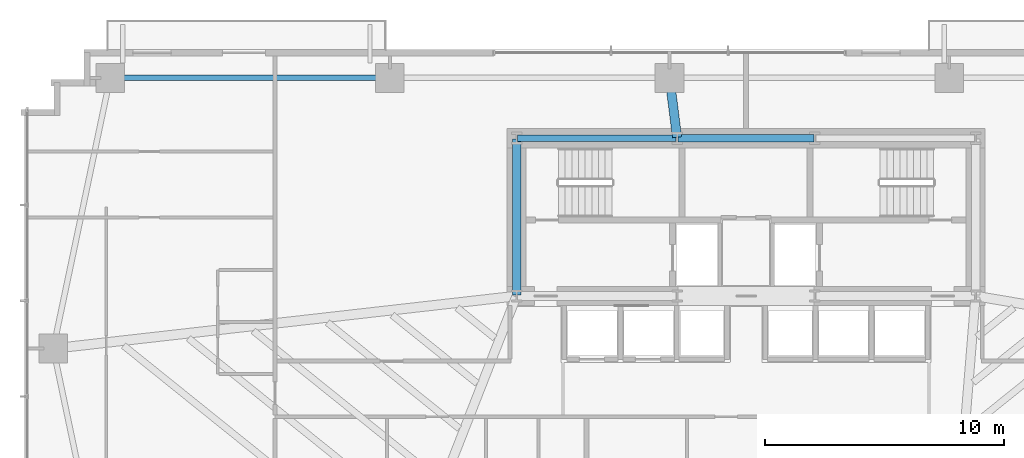
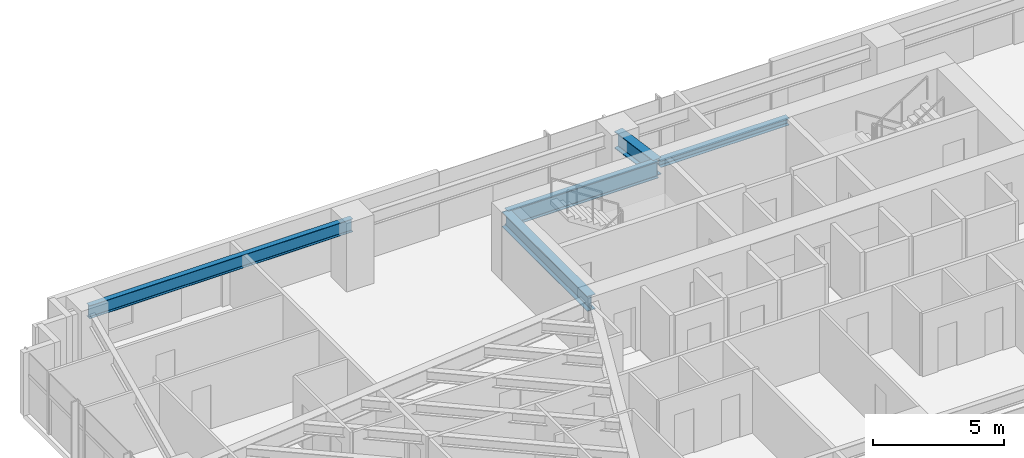
# One storey, part 9 of 25: 5 beams.
"""IFC4 building model written with IfcOpenShell, lengths in metres."""

import ifcopenshell
import ifcopenshell.guid

model = None  # the IFC model being written
_history = None  # IfcOwnerHistory: only IFC2X3 demands one
_inside = {}  # id of a spatial element -> (the spatial element, [elements in it])
_under = {}  # id of a project, library or spatial element -> (it, [spatial elements below it])
_declared = {}  # id of a project -> (the project, [libraries it declares])
_typed = {}  # id of a type object -> (the type object, [elements of that type])
_made_of = {}  # id of a material, layer set ... -> (it, [elements and type objects made of it])


def new_model(schema):
    """Start an empty IFC model of exactly this schema.

    Asked for "IFC4X3", IfcOpenShell would pick the latest addendum, in which some entities
    have other attributes; the version numbers below select the first issue.
    IFC2X3 requires an IfcOwnerHistory on every rooted entity: one is made here for all.
    """
    global model, _history
    if schema == "IFC4X3":
        model = ifcopenshell.file(schema_version=(4, 3, 0, 0))
    else:
        model = ifcopenshell.file(schema=schema)
    _inside.clear()
    _under.clear()
    _declared.clear()
    _typed.clear()
    _made_of.clear()
    _history = None
    if model.schema == "IFC2X3":
        org = make("IfcOrganization", Name="unknown")
        user = make(
            "IfcPersonAndOrganization",
            ThePerson=make("IfcPerson", FamilyName="unknown"),
            TheOrganization=org,
        )
        app = make(
            "IfcApplication",
            ApplicationDeveloper=org,
            Version="unknown",
            ApplicationFullName="unknown",
            ApplicationIdentifier="unknown",
        )
        _history = make(
            "IfcOwnerHistory",
            OwningUser=user,
            OwningApplication=app,
            ChangeAction="ADDED",
            CreationDate=0,
        )
    return model


def make(cls, **values):
    """One entity of the class cls with the attributes given. An attribute that is None is left unset."""
    return model.create_entity(
        cls, **{name: value for name, value in values.items() if value is not None}
    )


def rooted(cls, **values):
    """An entity with a GlobalId (a new one), such as an element, a storey or a relation."""
    return make(cls, GlobalId=ifcopenshell.guid.new(), OwnerHistory=_history, **values)


def si_unit(unit_type, name, prefix=None):
    """IfcSIUnit, for example si_unit("LENGTHUNIT", "METRE", prefix="MILLI")."""
    return make("IfcSIUnit", UnitType=unit_type, Prefix=prefix, Name=name)


def assignment(units):
    """IfcUnitAssignment: the units of a project."""
    return None if units is None else make("IfcUnitAssignment", Units=units)


def point(xyz):
    """IfcCartesianPoint."""
    return None if xyz is None else make("IfcCartesianPoint", Coordinates=xyz)


def direction(xyz):
    """IfcDirection."""
    return None if xyz is None else make("IfcDirection", DirectionRatios=xyz)


def frame(location, z_axis=None, x_axis=None):
    """IfcAxis2Placement3D, a coordinate frame: its origin and axes. An axis left out is left unset."""
    return make(
        "IfcAxis2Placement3D",
        Location=point(location),
        Axis=direction(z_axis),
        RefDirection=direction(x_axis),
    )


def frame_2d(location, x_axis=None):
    """IfcAxis2Placement2D, a coordinate frame in the plane: its origin and x axis."""
    return make(
        "IfcAxis2Placement2D", Location=point(location), RefDirection=direction(x_axis)
    )


def origin():
    """The frame at (0, 0, 0) with its axes left unset."""
    return frame((0.0, 0.0, 0.0))


def origin_2d():
    """The frame at (0, 0) in the plane with its x axis left unset."""
    return frame_2d((0.0, 0.0))


def place(relative_to, where):
    """IfcLocalPlacement: puts the frame where relative to a parent placement (None: the world)."""
    return make(
        "IfcLocalPlacement", PlacementRelTo=relative_to, RelativePlacement=where
    )


def context(
    kind, dimensions, precision=None, world=None, true_north=None, identifier=None
):
    """IfcGeometricRepresentationContext, for example the 3D "Model" context."""
    return make(
        "IfcGeometricRepresentationContext",
        ContextIdentifier=identifier,
        ContextType=kind,
        CoordinateSpaceDimension=dimensions,
        Precision=precision,
        WorldCoordinateSystem=world,
        TrueNorth=true_north,
    )


def subcontext(parent, identifier, kind, view, scale=None):
    """IfcGeometricRepresentationSubContext, for example "Body" below "Model"."""
    return make(
        "IfcGeometricRepresentationSubContext",
        ContextIdentifier=identifier,
        ContextType=kind,
        ParentContext=parent,
        TargetScale=scale,
        TargetView=view,
    )


def project(units=None, contexts=None):
    """IfcProject with its units and contexts."""
    return rooted(
        "IfcProject",
        Name="project",
        RepresentationContexts=contexts,
        UnitsInContext=assignment(units),
    )


def spatial(cls, under=None, at=None, **own):
    """A site, building, storey or space (cls), placed at a placement, below another one or the project."""
    s = rooted(cls, ObjectPlacement=at, **own)
    if under is not None:
        _under.setdefault(under.id(), (under, []))[1].append(s)
    return s


def profile(cls, at=None, kind="AREA", **sizes):
    """A parametric profile (cls). Its sizes go by their IFC names, for example OverallWidth=200.0."""
    return make(cls, ProfileType=kind, Position=at, **sizes)


def i_section(**sizes):
    """IfcIShapeProfileDef."""
    return profile("IfcIShapeProfileDef", **sizes)


def extrude(swept, where, along, depth):
    """IfcExtrudedAreaSolid: the profile swept, set in the frame where, extruded along a direction by depth."""
    return make(
        "IfcExtrudedAreaSolid",
        SweptArea=swept,
        Position=where,
        ExtrudedDirection=direction(along),
        Depth=depth,
    )


def shape(context_of_items, identifier, shape_type, items):
    """IfcShapeRepresentation: the items that make up one representation, for example the "Body"."""
    return make(
        "IfcShapeRepresentation",
        ContextOfItems=context_of_items,
        RepresentationIdentifier=identifier,
        RepresentationType=shape_type,
        Items=items,
    )


def source(mapping_origin, context_of_items, identifier, shape_type, items):
    """IfcRepresentationMap: a shape defined once, which mapped items show again and again."""
    return make(
        "IfcRepresentationMap",
        MappingOrigin=mapping_origin,
        MappedRepresentation=shape(context_of_items, identifier, shape_type, items),
    )


def transform(
    local_origin,
    x_axis=None,
    y_axis=None,
    z_axis=None,
    scale=None,
    scale2=None,
    scale3=None,
    uniform=True,
):
    """IfcCartesianTransformationOperator3D, or its non-uniform kind. x_axis, y_axis, z_axis: its Axis1, 2, 3."""
    if uniform:
        return make(
            "IfcCartesianTransformationOperator3D",
            Axis1=direction(x_axis),
            Axis2=direction(y_axis),
            LocalOrigin=point(local_origin),
            Scale=scale,
            Axis3=direction(z_axis),
        )
    return make(
        "IfcCartesianTransformationOperator3DnonUniform",
        Axis1=direction(x_axis),
        Axis2=direction(y_axis),
        LocalOrigin=point(local_origin),
        Scale=scale,
        Axis3=direction(z_axis),
        Scale2=scale2,
        Scale3=scale3,
    )


def mapped(mapping_source, mapping_target):
    """IfcMappedItem: shows the shape of a source again, moved by a transform."""
    return make(
        "IfcMappedItem", MappingSource=mapping_source, MappingTarget=mapping_target
    )


def material(Name=None, Category=None):
    """IfcMaterial."""
    return make("IfcMaterial", Name=Name, Category=Category)


def material_profile(
    of_material, cross_section, Name=None, Category=None, Priority=None
):
    """IfcMaterialProfile: a cross section and its material."""
    return make(
        "IfcMaterialProfile",
        Name=Name,
        Material=of_material,
        Profile=cross_section,
        Priority=Priority,
        Category=Category,
    )


def profile_set(profiles, Name=None, composite=None):
    """IfcMaterialProfileSet."""
    return make(
        "IfcMaterialProfileSet",
        Name=Name,
        MaterialProfiles=profiles,
        CompositeProfile=composite,
    )


def made_of(thing, what):
    """Note that an element or type object is made of a material, layer set ...; save() writes the relation."""
    if what is not None:
        _made_of.setdefault(what.id(), (what, []))[1].append(thing)
    return thing


def type_object(cls, material=None, **own):
    """A type object (cls), such as IfcWallType, which elements share."""
    return made_of(rooted(cls, **own), material)


def type_shapes(of_type, sources):
    """Give a type object the sources (RepresentationMaps) that its elements show as mapped items."""
    of_type.RepresentationMaps = sources


def element(
    cls,
    number,
    at=None,
    inside=None,
    cuts=None,
    type_object=None,
    material=None,
    context=None,
    identifier="Body",
    shape_type=None,
    held_by="IfcProductDefinitionShape",
    body=None,
    shapes=None,
    **own,
):
    """One element of the class cls, such as IfcWall. Its Tag is "e" and its number.

    at: its placement. inside: the storey or other place that contains it. cuts: it is an
    opening in that element (IfcRelVoidsElement). A single representation is given by context,
    identifier, shape_type and body (its items); several are given by shapes. held_by: the class
    of the entity that holds the representations. save() writes the other relations.
    """
    e = rooted(cls, Tag="e%d" % number, ObjectPlacement=at, **own)
    if body is not None:
        shapes = [shape(context, identifier, shape_type, body)]
    if shapes is not None:
        e.Representation = make(held_by, Representations=shapes)
    if inside is not None:
        _inside.setdefault(inside.id(), (inside, []))[1].append(e)
    if cuts is not None:
        rooted(
            "IfcRelVoidsElement", RelatingBuildingElement=cuts, RelatedOpeningElement=e
        )
    if type_object is not None:
        _typed.setdefault(type_object.id(), (type_object, []))[1].append(e)
    return made_of(e, material)


def aggregate(whole, parts):
    """IfcRelAggregates: a whole, such as a stair, and the parts it consists of."""
    return rooted("IfcRelAggregates", RelatingObject=whole, RelatedObjects=parts)


def save(model, path):
    """Write the relations noted so far, then the file.

    IfcRelAggregates (storeys below a building ...), IfcRelContainedInSpatialStructure (elements
    in a storey), IfcRelDefinesByType, IfcRelAssociatesMaterial and IfcRelDeclares: one each for
    every whole, place, type object, material and project.
    """
    for whole, parts in _under.values():
        aggregate(whole, parts)
    for where, things in _inside.values():
        rooted(
            "IfcRelContainedInSpatialStructure",
            RelatedElements=things,
            RelatingStructure=where,
        )
    for kind, things in _typed.values():
        rooted("IfcRelDefinesByType", RelatedObjects=things, RelatingType=kind)
    for what, things in _made_of.values():
        rooted("IfcRelAssociatesMaterial", RelatedObjects=things, RelatingMaterial=what)
    for by, libraries in _declared.values():
        rooted("IfcRelDeclares", RelatingContext=by, RelatedDefinitions=libraries)
    model.write(path)


model = new_model("IFC4")

# Units and contexts
model_context = context("Model", 3, precision=1e-05, world=origin(), true_north=direction((0.0, 1.0)))
body_context = subcontext(model_context, "Body", "Model", "MODEL_VIEW")
ifc_project = project(units=[si_unit("LENGTHUNIT", "METRE"), si_unit("AREAUNIT", "SQUARE_METRE"), si_unit("VOLUMEUNIT", "CUBIC_METRE"), si_unit("PLANEANGLEUNIT", "RADIAN"), si_unit("MASSUNIT", "GRAM", prefix="KILO")], contexts=[model_context])

# Site, building, storey
site_placement = place(None, origin())
site = spatial("IfcSite", under=ifc_project, at=site_placement, CompositionType="ELEMENT")
building_placement = place(site_placement, origin())
building = spatial("IfcBuilding", under=site, at=building_placement, Name="Astriad Promenade Condominiums", CompositionType="ELEMENT")
storey_placement = place(building_placement, frame((0.0, 0.0, 51.800048828125)))
storey = spatial("IfcBuildingStorey", under=building, at=storey_placement, Name="L14", CompositionType="ELEMENT", Elevation=51.800048828125)

# Beams
ifc_material = material(Name="Steel ASTM A992 Grade 50", Category="steel")
ifc_material_profile_1 = material_profile(ifc_material, i_section(OverallWidth=0.267822265625, OverallDepth=0.76953125, WebThickness=0.015625, FlangeThickness=0.025390625, FilletRadius=0.021484375, at=origin_2d()), Name="W30X132")
ifc_profile_set_1 = profile_set([ifc_material_profile_1], Name="Steel ASTM A992 Grade 50")
beam_type_1 = type_object("IfcBeamType", Name="STEEL FLOOR GIRDER W30X132", PredefinedType="BEAM", material=ifc_profile_set_1)
shared_shape_1 = source(origin(), body_context, "Body", "SweptSolid", [
    extrude(i_section(OverallWidth=0.267822265625, OverallDepth=0.76953125, WebThickness=0.015625, FlangeThickness=0.025390625, FilletRadius=0.021484375, at=origin_2d()), origin(), (0.0, 0.0, 1.0), 6.64013671875),
])
type_shapes(beam_type_1, [shared_shape_1])
beam_1_placement = place(storey_placement, frame((26.43994140625, 24.0, 2.55517578125), z_axis=(1.0, 0.0, 0.0), x_axis=(0.0, 1.0, 0.0)))
element("IfcBeam", 1, at=beam_1_placement, inside=storey, type_object=beam_type_1, Name="Core Ring Beam CG-N1-L14", PredefinedType="BEAM", context=body_context, shape_type="MappedRepresentation", body=[
    mapped(shared_shape_1, transform((0.0, 0.0, 0.0), scale=1.0)),
])
ifc_material_profile_2 = material_profile(ifc_material, i_section(OverallWidth=0.3046875, OverallDepth=0.307861328125, WebThickness=0.010009765625, FlangeThickness=0.015380859375, FilletRadius=0.01513671875, at=origin_2d()), Name="W12X65")
ifc_profile_set_2 = profile_set([ifc_material_profile_2], Name="Steel ASTM A992 Grade 50")
beam_type_2 = type_object("IfcBeamType", Name="STEEL OPENING LINTEL W12X65", PredefinedType="LINTEL", material=ifc_profile_set_2)
shared_shape_2 = source(origin(), body_context, "Body", "SweptSolid", [
    extrude(i_section(OverallWidth=0.3046875, OverallDepth=0.307861328125, WebThickness=0.010009765625, FlangeThickness=0.015380859375, FilletRadius=0.01513671875, at=origin_2d()), origin(), (0.0, 0.0, 1.0), 5.68017578125),
])
type_shapes(beam_type_2, [shared_shape_2])
beam_2_placement = place(storey_placement, frame((33.159912109375, 24.0, 2.7861328125), z_axis=(1.0, 0.0, 0.0), x_axis=(0.0, 1.0, 0.0)))
element("IfcBeam", 2, at=beam_2_placement, inside=storey, type_object=beam_type_2, Name="Core Ring Beam CG-N2-L14", PredefinedType="LINTEL", context=body_context, shape_type="MappedRepresentation", body=[
    mapped(shared_shape_2, transform((0.0, 0.0, 0.0), scale=1.0)),
])
ifc_material_profile_3 = material_profile(ifc_material, i_section(OverallWidth=0.35791015625, OverallDepth=0.706298828125, WebThickness=0.018310546875, FlangeThickness=0.0302734375, FilletRadius=0.020263671875, at=origin_2d()), Name="W27X178")
ifc_profile_set_3 = profile_set([ifc_material_profile_3], Name="Steel ASTM A992 Grade 50")
beam_type_3 = type_object("IfcBeamType", Name="STEEL FLOOR GIRDER W27X178", PredefinedType="BEAM", material=ifc_profile_set_3)
shared_shape_3 = source(origin(), body_context, "Body", "SweptSolid", [
    extrude(i_section(OverallWidth=0.35791015625, OverallDepth=0.706298828125, WebThickness=0.018310546875, FlangeThickness=0.0302734375, FilletRadius=0.020263671875, at=origin_2d()), origin(), (0.0, 0.0, 1.0), 6.52001953125),
])
type_shapes(beam_type_3, [shared_shape_3])
beam_3_placement = place(storey_placement, frame((26.39990234375, 17.43994140625, 2.586669921875), z_axis=(0.0, 1.0, 0.0), x_axis=(-1.0, 0.0, 0.0)))
element("IfcBeam", 3, at=beam_3_placement, inside=storey, type_object=beam_type_3, Name="Core Ring Beam CG-W1-L14", PredefinedType="BEAM", context=body_context, shape_type="MappedRepresentation", body=[
    mapped(shared_shape_3, transform((0.0, 0.0, 0.0), scale=1.0)),
])
ifc_material_profile_4 = material_profile(ifc_material, i_section(OverallWidth=0.22900390625, OverallDepth=0.612060546875, WebThickness=0.011962890625, FlangeThickness=0.01953125, FilletRadius=0.017822265625, at=origin_2d()), Name="W24X84")
ifc_profile_set_4 = profile_set([ifc_material_profile_4], Name="Steel ASTM A992 Grade 50")
beam_type_4 = type_object("IfcBeamType", Name="STEEL SPANDREL BEAM W24X84", PredefinedType="SPANDREL", material=ifc_profile_set_4)
shared_shape_4 = source(origin(), body_context, "Body", "SweptSolid", [
    extrude(i_section(OverallWidth=0.22900390625, OverallDepth=0.612060546875, WebThickness=0.011962890625, FlangeThickness=0.01953125, FilletRadius=0.017822265625, at=origin_2d()), origin(), (0.0, 0.0, 1.0), 11.6201171875),
])
type_shapes(beam_type_4, [shared_shape_4])
beam_4_placement = place(storey_placement, frame((21.06005859375, 26.52001953125, 2.634033203125), z_axis=(-1.0, 0.0, 0.0), x_axis=(0.0, -1.0, 0.0)))
element("IfcBeam", 4, at=beam_4_placement, inside=storey, type_object=beam_type_4, Name="Perimeter Spandrel Beam SP-N1-L14", PredefinedType="SPANDREL", context=body_context, shape_type="MappedRepresentation", body=[
    mapped(shared_shape_4, transform((0.0, 0.0, 0.0), scale=1.0)),
])
ifc_material_profile_5 = material_profile(ifc_material, i_section(OverallWidth=0.3837890625, OverallDepth=0.785888671875, WebThickness=0.019775390625, FlangeThickness=0.033447265625, FilletRadius=0.021484375, at=origin_2d()), Name="W30X211")
ifc_profile_set_5 = profile_set([ifc_material_profile_5], Name="Steel ASTM A992 Grade 50")
beam_type_5 = type_object("IfcBeamType", Name="STEEL FLOOR GIRDER W30X211", PredefinedType="BEAM", material=ifc_profile_set_5)
shared_shape_5 = source(origin(), body_context, "Body", "SweptSolid", [
    extrude(i_section(OverallWidth=0.3837890625, OverallDepth=0.785888671875, WebThickness=0.019775390625, FlangeThickness=0.033447265625, FilletRadius=0.021484375, at=origin_2d()), origin(), (0.0, 0.0, 1.0), 2.4599609375),
])
type_shapes(beam_type_5, [shared_shape_5])
beam_5_placement = place(storey_placement, frame((32.804931640625, 26.480224609375, 2.547119140625), z_axis=(0.126037648346, -0.992025458947, 0.0), x_axis=(0.992025458947, 0.126037648346, 0.0)))
element("IfcBeam", 5, at=beam_5_placement, inside=storey, type_object=beam_type_5, Name="Primary Floor Girder PG-NC-L14", PredefinedType="BEAM", context=body_context, shape_type="MappedRepresentation", body=[
    mapped(shared_shape_5, transform((0.0, 0.0, 0.0), scale=1.0)),
])

save(model, "model.ifc")
